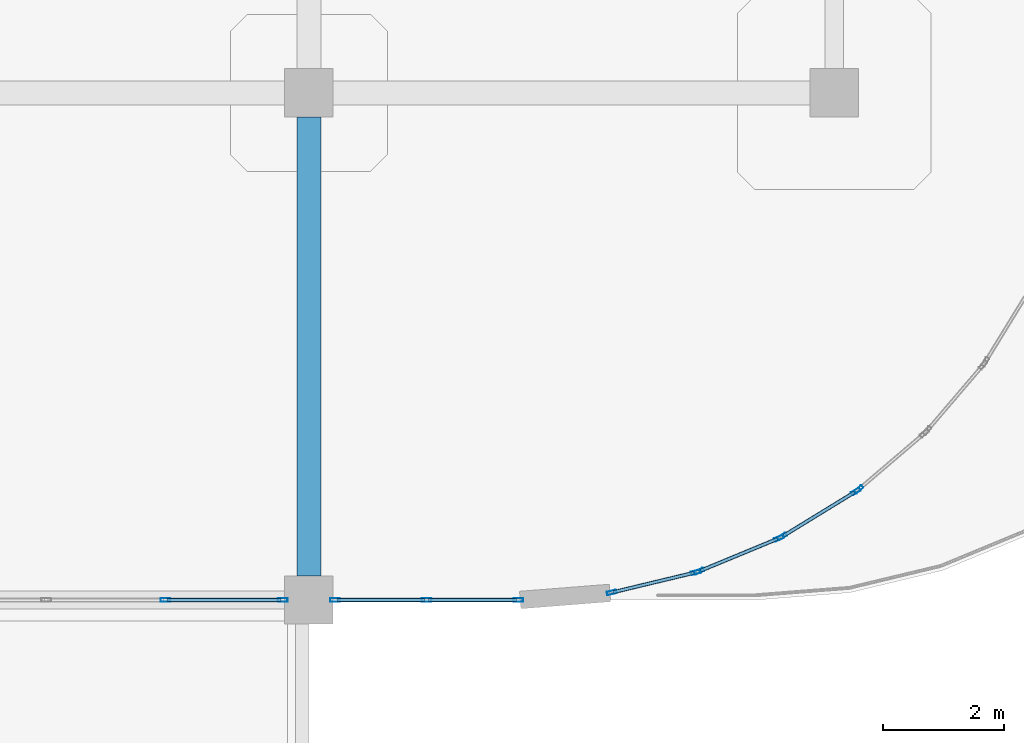
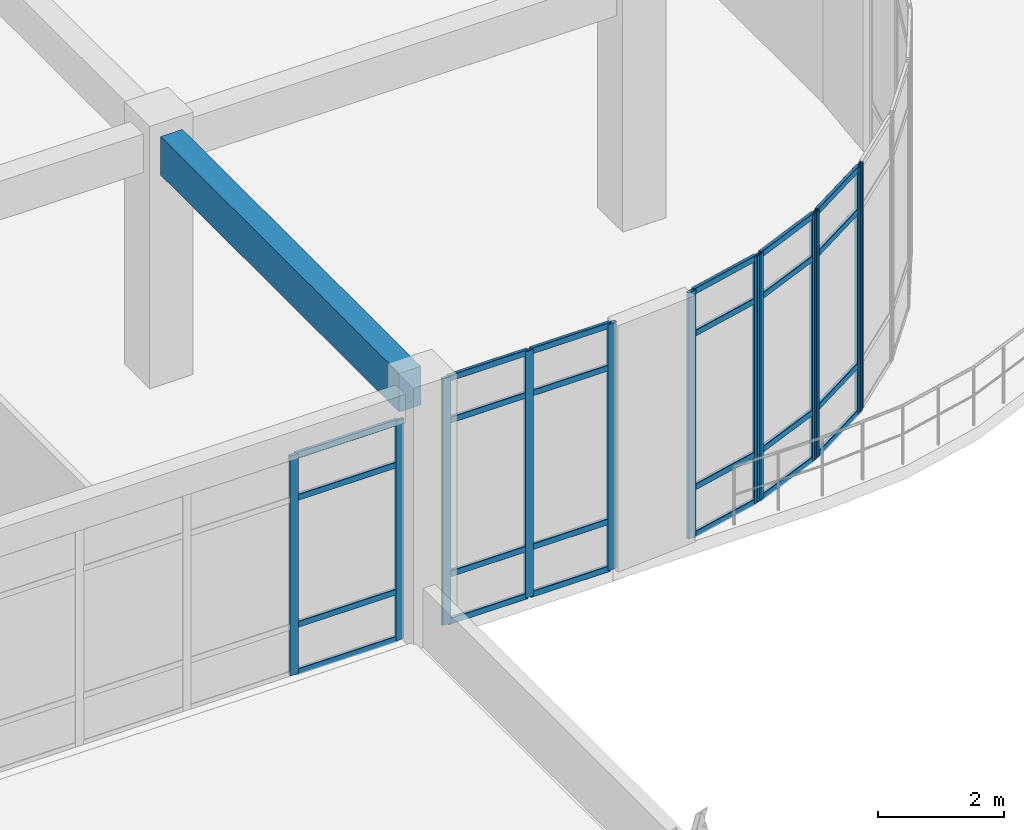
# One storey, part 81 of 124: 36 members, 1 beam, 6 elements without a shape of their own.
"""IFC4 building model written with IfcOpenShell, lengths in metres."""

from ifc_helpers import new_model, si_unit, derived_unit, direction, frame, origin, origin_2d, place, context, subcontext, project, spatial, rectangle, hollow_rectangle, extrude, material, layer, layer_set, material_profile, profile_set, type_object, element, aggregate, save


model = new_model("IFC4")

# Units and contexts
model_context = context("Model", 3, precision=1e-05, world=origin(), true_north=direction((0.0, 1.0)))
body_context = subcontext(model_context, "Body", "Model", "MODEL_VIEW")
ifc_project = project(units=[si_unit("LENGTHUNIT", "METRE"), si_unit("AREAUNIT", "SQUARE_METRE"), si_unit("VOLUMEUNIT", "CUBIC_METRE"), si_unit("PLANEANGLEUNIT", "RADIAN"), si_unit("MASSUNIT", "GRAM", prefix="KILO"), derived_unit("THERMALTRANSMITTANCEUNIT", [(si_unit("MASSUNIT", "GRAM", prefix="KILO"), 1), (si_unit("TIMEUNIT", "SECOND"), -3), (si_unit("THERMODYNAMICTEMPERATUREUNIT", "KELVIN"), -1)])], contexts=[model_context])

# Site, building, storey
site_placement = place(None, origin())
site = spatial("IfcSite", under=ifc_project, at=site_placement, CompositionType="ELEMENT")
building_placement = place(site_placement, origin())
building = spatial("IfcBuilding", under=site, at=building_placement, Name="Qinzheling Arcade Emporium", CompositionType="ELEMENT")
storey_placement = place(building_placement, frame((0.0, 0.0, 16.5)))
storey = spatial("IfcBuildingStorey", under=building, at=storey_placement, Name="L04", CompositionType="ELEMENT", Elevation=16.5)

# Curtain wall, member
ifc_material_1 = material(Name="Anodised aluminium and solar-control double glazing", Category="aluminium")
ifc_layer_1 = layer(ifc_material_1, 0.159912109375, Name="Anodised aluminium and solar-control double glazing", Category="aluminium")
ifc_layer_set_1 = layer_set([ifc_layer_1], Name="Anodised aluminium and solar-control double glazing")
curtain_wall_type_1 = type_object("IfcCurtainWallType", Name="Curved Ribbon Sales Curtain Wall", PredefinedType="NOTDEFINED", material=ifc_layer_set_1)
curtain_wall_1_placement = place(storey_placement, origin())
curtain_wall_1 = element("IfcCurtainWall", 1, at=curtain_wall_1_placement, inside=storey, type_object=curtain_wall_type_1, Name="Curtain Wall CW-L04-278", PredefinedType="NOTDEFINED")
ifc_material_2 = material(Name="Anodised aluminium 6063-T6", Category="aluminium")
ifc_material_profile_1 = material_profile(ifc_material_2, hollow_rectangle(XDim=0.06005859375, YDim=0.159912109375, WallThickness=0.00390625, InnerFilletRadius=0.00390625, OuterFilletRadius=0.008056640625, at=origin_2d()), Name="RHS 160x60x4", Category="aluminium")
ifc_profile_set_1 = profile_set([ifc_material_profile_1], Name="Anodised aluminium 6063-T6")
member_type_1 = type_object("IfcMemberType", Name="Curtain Wall Mullion RHS160x60", PredefinedType="MULLION", material=ifc_profile_set_1)
member_1_placement = place(storey_placement, frame((139.60693359375, 75.633544921875, 0.0), z_axis=(0.0, 0.0, 1.0), x_axis=(0.649243454095, -0.760580657994, 0.0)))
member_1 = element("IfcMember", 2, at=member_1_placement, type_object=member_type_1, Name="CW02 mullion 2", PredefinedType="MULLION", context=body_context, shape_type="SweptSolid", body=[
    extrude(hollow_rectangle(XDim=0.06005859375, YDim=0.159912109375, WallThickness=0.00390625, InnerFilletRadius=0.00390625, OuterFilletRadius=0.008056640625, at=origin_2d()), origin(), (0.0, 0.0, 1.0), 4.7900390625),
])
aggregate(curtain_wall_1, [member_1])

# Curtain wall, members
curtain_wall_2_placement = place(storey_placement, origin())
curtain_wall_2 = element("IfcCurtainWall", 3, at=curtain_wall_2_placement, inside=storey, type_object=curtain_wall_type_1, Name="Curtain Wall CW-L04-279", PredefinedType="NOTDEFINED")
member_2_placement = place(storey_placement, frame((139.558349609375, 75.598388671875, 0.0), z_axis=(0.0, 0.0, 1.0), x_axis=(0.522562057926, -0.852601252413, 0.0)))
member_2 = element("IfcMember", 4, at=member_2_placement, type_object=member_type_1, Name="CW02 mullion 1", PredefinedType="MULLION", context=body_context, shape_type="SweptSolid", body=[
    extrude(hollow_rectangle(XDim=0.06005859375, YDim=0.159912109375, WallThickness=0.00390625, InnerFilletRadius=0.00390625, OuterFilletRadius=0.008056640625, at=origin_2d()), origin(), (0.0, 0.0, 1.0), 4.7900390625),
])
member_3_placement = place(storey_placement, frame((138.338623046875, 74.8505859375, 0.0), z_axis=(0.0, 0.0, 1.0), x_axis=(0.522562057926, -0.852601252413, 0.0)))
member_3 = element("IfcMember", 5, at=member_3_placement, type_object=member_type_1, Name="CW02 mullion 2", PredefinedType="MULLION", context=body_context, shape_type="SweptSolid", body=[
    extrude(hollow_rectangle(XDim=0.06005859375, YDim=0.159912109375, WallThickness=0.00390625, InnerFilletRadius=0.00390625, OuterFilletRadius=0.008056640625, at=origin_2d()), origin(), (0.0, 0.0, 1.0), 4.7900390625),
])

curtain_wall_3_placement = place(storey_placement, origin())
curtain_wall_3 = element("IfcCurtainWall", 6, at=curtain_wall_3_placement, inside=storey, type_object=curtain_wall_type_1, Name="Curtain Wall CW-L04-280", PredefinedType="NOTDEFINED")
member_4_placement = place(storey_placement, frame((138.285400390625, 74.823486328125, 0.0), z_axis=(0.0, 0.0, 1.0), x_axis=(0.382470321658, -0.923967777063, 0.0)))
member_4 = element("IfcMember", 7, at=member_4_placement, type_object=member_type_1, Name="CW02 mullion 1", PredefinedType="MULLION", context=body_context, shape_type="SweptSolid", body=[
    extrude(hollow_rectangle(XDim=0.06005859375, YDim=0.159912109375, WallThickness=0.00390625, InnerFilletRadius=0.00390625, OuterFilletRadius=0.008056640625, at=origin_2d()), origin(), (0.0, 0.0, 1.0), 4.7900390625),
])
member_5_placement = place(storey_placement, frame((136.963623046875, 74.2763671875, 0.0), z_axis=(0.0, 0.0, 1.0), x_axis=(0.382470321658, -0.923967777063, 0.0)))
member_5 = element("IfcMember", 8, at=member_5_placement, type_object=member_type_1, Name="CW02 mullion 2", PredefinedType="MULLION", context=body_context, shape_type="SweptSolid", body=[
    extrude(hollow_rectangle(XDim=0.06005859375, YDim=0.159912109375, WallThickness=0.00390625, InnerFilletRadius=0.00390625, OuterFilletRadius=0.008056640625, at=origin_2d()), origin(), (0.0, 0.0, 1.0), 4.7900390625),
])

curtain_wall_4_placement = place(storey_placement, origin())
curtain_wall_4 = element("IfcCurtainWall", 9, at=curtain_wall_4_placement, inside=storey, type_object=curtain_wall_type_1, Name="Curtain Wall CW-L04-281", PredefinedType="NOTDEFINED")
member_6_placement = place(storey_placement, frame((136.90673828125, 74.258056640625, 0.0), z_axis=(0.0, 0.0, 1.0), x_axis=(0.233372952479, -0.97238730198, 0.0)))
member_6 = element("IfcMember", 10, at=member_6_placement, type_object=member_type_1, Name="CW02 mullion 1", PredefinedType="MULLION", context=body_context, shape_type="SweptSolid", body=[
    extrude(hollow_rectangle(XDim=0.06005859375, YDim=0.159912109375, WallThickness=0.00390625, InnerFilletRadius=0.00390625, OuterFilletRadius=0.008056640625, at=origin_2d()), origin(), (0.0, 0.0, 1.0), 4.7900390625),
])
member_7_placement = place(storey_placement, frame((135.51513671875, 73.924072265625, 0.0), z_axis=(0.0, 0.0, 1.0), x_axis=(0.233372952479, -0.97238730198, 0.0)))
member_7 = element("IfcMember", 11, at=member_7_placement, type_object=member_type_1, Name="CW02 mullion 2", PredefinedType="MULLION", context=body_context, shape_type="SweptSolid", body=[
    extrude(hollow_rectangle(XDim=0.06005859375, YDim=0.159912109375, WallThickness=0.00390625, InnerFilletRadius=0.00390625, OuterFilletRadius=0.008056640625, at=origin_2d()), origin(), (0.0, 0.0, 1.0), 4.7900390625),
])

ifc_layer_2 = layer(ifc_material_1, 0.159912109375, Name="Anodised aluminium and solar-control double glazing", Category="aluminium")
ifc_layer_set_2 = layer_set([ifc_layer_2], Name="Anodised aluminium and solar-control double glazing")
curtain_wall_type_2 = type_object("IfcCurtainWallType", Name="Arcade Portal Glazed Curtain Wall", PredefinedType="NOTDEFINED", material=ifc_layer_set_2)
curtain_wall_5_placement = place(storey_placement, origin())
curtain_wall_5 = element("IfcCurtainWall", 12, at=curtain_wall_5_placement, inside=storey, type_object=curtain_wall_type_2, Name="Curtain Wall CW-L04-282", PredefinedType="NOTDEFINED")
member_8_placement = place(storey_placement, frame((133.969970703125, 73.800048828125, 0.0), z_axis=(0.0, 0.0, 1.0), x_axis=(0.0, -1.0, 0.0)))
member_8 = element("IfcMember", 13, at=member_8_placement, type_object=member_type_1, Name="CW05 mullion 1", PredefinedType="MULLION", context=body_context, shape_type="SweptSolid", body=[
    extrude(hollow_rectangle(XDim=0.06005859375, YDim=0.159912109375, WallThickness=0.00390625, InnerFilletRadius=0.00390625, OuterFilletRadius=0.008056640625, at=origin_2d()), origin(), (0.0, 0.0, 1.0), 4.7900390625),
])
member_9_placement = place(storey_placement, frame((132.450927734375, 73.800048828125, 0.0), z_axis=(0.0, 0.0, 1.0), x_axis=(0.0, -1.0, 0.0)))
member_9 = element("IfcMember", 14, at=member_9_placement, type_object=member_type_1, Name="CW05 mullion 2", PredefinedType="MULLION", context=body_context, shape_type="SweptSolid", body=[
    extrude(hollow_rectangle(XDim=0.06005859375, YDim=0.159912109375, WallThickness=0.00390625, InnerFilletRadius=0.00390625, OuterFilletRadius=0.008056640625, at=origin_2d()), origin(), (0.0, 0.0, 1.0), 4.7900390625),
])
member_10_placement = place(storey_placement, frame((130.931884765625, 73.800048828125, 0.0), z_axis=(0.0, 0.0, 1.0), x_axis=(0.0, -1.0, 0.0)))
member_10 = element("IfcMember", 15, at=member_10_placement, type_object=member_type_1, Name="CW05 mullion 3", PredefinedType="MULLION", context=body_context, shape_type="SweptSolid", body=[
    extrude(hollow_rectangle(XDim=0.06005859375, YDim=0.159912109375, WallThickness=0.00390625, InnerFilletRadius=0.00390625, OuterFilletRadius=0.008056640625, at=origin_2d()), origin(), (0.0, 0.0, 1.0), 4.7900390625),
])

curtain_wall_6_placement = place(storey_placement, origin())
curtain_wall_6 = element("IfcCurtainWall", 16, at=curtain_wall_6_placement, inside=storey, type_object=curtain_wall_type_2, Name="Curtain Wall CW-L04-283", PredefinedType="NOTDEFINED")
member_11_placement = place(storey_placement, frame((130.068115234375, 73.800048828125, 0.0), z_axis=(0.0, 0.0, 1.0), x_axis=(0.0, -1.0, 0.0)))
member_11 = element("IfcMember", 17, at=member_11_placement, type_object=member_type_1, Name="CW05 mullion 1", PredefinedType="MULLION", context=body_context, shape_type="SweptSolid", body=[
    extrude(hollow_rectangle(XDim=0.06005859375, YDim=0.159912109375, WallThickness=0.00390625, InnerFilletRadius=0.00390625, OuterFilletRadius=0.008056640625, at=origin_2d()), origin(), (0.0, 0.0, 1.0), 4.27001953125),
])
member_12_placement = place(storey_placement, frame((128.1240234375, 73.800048828125, 0.0), z_axis=(0.0, 0.0, 1.0), x_axis=(0.0, -1.0, 0.0)))
member_12 = element("IfcMember", 18, at=member_12_placement, type_object=member_type_1, Name="CW05 mullion 2", PredefinedType="MULLION", context=body_context, shape_type="SweptSolid", body=[
    extrude(hollow_rectangle(XDim=0.06005859375, YDim=0.159912109375, WallThickness=0.00390625, InnerFilletRadius=0.00390625, OuterFilletRadius=0.008056640625, at=origin_2d()), origin(), (0.0, 0.0, 1.0), 4.27001953125),
])

# Member
ifc_material_profile_2 = material_profile(ifc_material_2, hollow_rectangle(XDim=0.06005859375, YDim=0.1201171875, WallThickness=0.00390625, InnerFilletRadius=0.00390625, OuterFilletRadius=0.008056640625, at=origin_2d()), Name="RHS 120x60x4", Category="aluminium")
ifc_profile_set_2 = profile_set([ifc_material_profile_2], Name="Anodised aluminium 6063-T6")
member_type_2 = type_object("IfcMemberType", Name="Curtain Wall Transom RHS120x60", PredefinedType="USERDEFINED", material=ifc_profile_set_2)
member_13_placement = place(storey_placement, frame((139.532958984375, 75.582763671875, 0.030029296875), z_axis=(-0.852598692616, -0.522566234413, 0.0), x_axis=(0.522566234413, -0.852598692616, 0.0)))
member_13 = element("IfcMember", 19, at=member_13_placement, type_object=member_type_2, Name="CW02 transom 1.1", ObjectType="TRANSOM", PredefinedType="USERDEFINED", context=body_context, shape_type="SweptSolid", body=[
    extrude(hollow_rectangle(XDim=0.06005859375, YDim=0.1201171875, WallThickness=0.00390625, InnerFilletRadius=0.00390625, OuterFilletRadius=0.008056640625, at=origin_2d()), origin(), (0.0, 0.0, 1.0), 1.370849609375),
])

member_14_placement = place(storey_placement, frame((139.532958984375, 75.582763671875, 0.949951171875), z_axis=(-0.852598692616, -0.522566234413, 0.0), x_axis=(0.522566234413, -0.852598692616, 0.0)))
member_14 = element("IfcMember", 20, at=member_14_placement, type_object=member_type_2, Name="CW02 transom 1.2", ObjectType="TRANSOM", PredefinedType="USERDEFINED", context=body_context, shape_type="SweptSolid", body=[
    extrude(hollow_rectangle(XDim=0.06005859375, YDim=0.1201171875, WallThickness=0.00390625, InnerFilletRadius=0.00390625, OuterFilletRadius=0.008056640625, at=origin_2d()), origin(), (0.0, 0.0, 1.0), 1.370849609375),
])

member_15_placement = place(storey_placement, frame((139.532958984375, 75.582763671875, 3.93994140625), z_axis=(-0.852598692616, -0.522566234413, 0.0), x_axis=(0.522566234413, -0.852598692616, 0.0)))
member_15 = element("IfcMember", 21, at=member_15_placement, type_object=member_type_2, Name="CW02 transom 1.3", ObjectType="TRANSOM", PredefinedType="USERDEFINED", context=body_context, shape_type="SweptSolid", body=[
    extrude(hollow_rectangle(XDim=0.06005859375, YDim=0.1201171875, WallThickness=0.00390625, InnerFilletRadius=0.00390625, OuterFilletRadius=0.008056640625, at=origin_2d()), origin(), (0.0, 0.0, 1.0), 1.370849609375),
])

member_16_placement = place(storey_placement, frame((139.532958984375, 75.582763671875, 4.760009765625), z_axis=(-0.852598692616, -0.522566234413, 0.0), x_axis=(0.522566234413, -0.852598692616, 0.0)))
member_16 = element("IfcMember", 22, at=member_16_placement, type_object=member_type_2, Name="CW02 transom 1.4", ObjectType="TRANSOM", PredefinedType="USERDEFINED", context=body_context, shape_type="SweptSolid", body=[
    extrude(hollow_rectangle(XDim=0.06005859375, YDim=0.1201171875, WallThickness=0.00390625, InnerFilletRadius=0.00390625, OuterFilletRadius=0.008056640625, at=origin_2d()), origin(), (0.0, 0.0, 1.0), 1.370849609375),
])

aggregate(curtain_wall_2, [member_2, member_3, member_13, member_14, member_15, member_16])

member_17_placement = place(storey_placement, frame((138.257568359375, 74.81201171875, 0.030029296875), z_axis=(-0.923949532465, -0.382514393791, 0.0), x_axis=(0.382514393791, -0.923949532465, 0.0)))
member_17 = element("IfcMember", 23, at=member_17_placement, type_object=member_type_2, Name="CW02 transom 1.1", ObjectType="TRANSOM", PredefinedType="USERDEFINED", context=body_context, shape_type="SweptSolid", body=[
    extrude(hollow_rectangle(XDim=0.06005859375, YDim=0.1201171875, WallThickness=0.00390625, InnerFilletRadius=0.00390625, OuterFilletRadius=0.008056640625, at=origin_2d()), origin(), (0.0, 0.0, 1.0), 1.370361328125),
])

member_18_placement = place(storey_placement, frame((138.257568359375, 74.81201171875, 0.949951171875), z_axis=(-0.923949532465, -0.382514393791, 0.0), x_axis=(0.382514393791, -0.923949532465, 0.0)))
member_18 = element("IfcMember", 24, at=member_18_placement, type_object=member_type_2, Name="CW02 transom 1.2", ObjectType="TRANSOM", PredefinedType="USERDEFINED", context=body_context, shape_type="SweptSolid", body=[
    extrude(hollow_rectangle(XDim=0.06005859375, YDim=0.1201171875, WallThickness=0.00390625, InnerFilletRadius=0.00390625, OuterFilletRadius=0.008056640625, at=origin_2d()), origin(), (0.0, 0.0, 1.0), 1.370361328125),
])

member_19_placement = place(storey_placement, frame((138.257568359375, 74.81201171875, 3.93994140625), z_axis=(-0.923949532465, -0.382514393791, 0.0), x_axis=(0.382514393791, -0.923949532465, 0.0)))
member_19 = element("IfcMember", 25, at=member_19_placement, type_object=member_type_2, Name="CW02 transom 1.3", ObjectType="TRANSOM", PredefinedType="USERDEFINED", context=body_context, shape_type="SweptSolid", body=[
    extrude(hollow_rectangle(XDim=0.06005859375, YDim=0.1201171875, WallThickness=0.00390625, InnerFilletRadius=0.00390625, OuterFilletRadius=0.008056640625, at=origin_2d()), origin(), (0.0, 0.0, 1.0), 1.370361328125),
])

member_20_placement = place(storey_placement, frame((138.257568359375, 74.81201171875, 4.760009765625), z_axis=(-0.923949532465, -0.382514393791, 0.0), x_axis=(0.382514393791, -0.923949532465, 0.0)))
member_20 = element("IfcMember", 26, at=member_20_placement, type_object=member_type_2, Name="CW02 transom 1.4", ObjectType="TRANSOM", PredefinedType="USERDEFINED", context=body_context, shape_type="SweptSolid", body=[
    extrude(hollow_rectangle(XDim=0.06005859375, YDim=0.1201171875, WallThickness=0.00390625, InnerFilletRadius=0.00390625, OuterFilletRadius=0.008056640625, at=origin_2d()), origin(), (0.0, 0.0, 1.0), 1.370361328125),
])

aggregate(curtain_wall_3, [member_4, member_5, member_17, member_18, member_19, member_20])

member_21_placement = place(storey_placement, frame((136.877685546875, 74.2509765625, 0.030029296875), z_axis=(-0.972372753779, -0.233433561656, 0.0), x_axis=(0.233433561656, -0.972372753779, 0.0)))
member_21 = element("IfcMember", 27, at=member_21_placement, type_object=member_type_2, Name="CW02 transom 1.1", ObjectType="TRANSOM", PredefinedType="USERDEFINED", context=body_context, shape_type="SweptSolid", body=[
    extrude(hollow_rectangle(XDim=0.06005859375, YDim=0.1201171875, WallThickness=0.00390625, InnerFilletRadius=0.00390625, OuterFilletRadius=0.008056640625, at=origin_2d()), origin(), (0.0, 0.0, 1.0), 1.37109375),
])

member_22_placement = place(storey_placement, frame((136.877685546875, 74.2509765625, 0.949951171875), z_axis=(-0.972372753779, -0.233433561656, 0.0), x_axis=(0.233433561656, -0.972372753779, 0.0)))
member_22 = element("IfcMember", 28, at=member_22_placement, type_object=member_type_2, Name="CW02 transom 1.2", ObjectType="TRANSOM", PredefinedType="USERDEFINED", context=body_context, shape_type="SweptSolid", body=[
    extrude(hollow_rectangle(XDim=0.06005859375, YDim=0.1201171875, WallThickness=0.00390625, InnerFilletRadius=0.00390625, OuterFilletRadius=0.008056640625, at=origin_2d()), origin(), (0.0, 0.0, 1.0), 1.37109375),
])

member_23_placement = place(storey_placement, frame((136.877685546875, 74.2509765625, 3.93994140625), z_axis=(-0.972372753779, -0.233433561656, 0.0), x_axis=(0.233433561656, -0.972372753779, 0.0)))
member_23 = element("IfcMember", 29, at=member_23_placement, type_object=member_type_2, Name="CW02 transom 1.3", ObjectType="TRANSOM", PredefinedType="USERDEFINED", context=body_context, shape_type="SweptSolid", body=[
    extrude(hollow_rectangle(XDim=0.06005859375, YDim=0.1201171875, WallThickness=0.00390625, InnerFilletRadius=0.00390625, OuterFilletRadius=0.008056640625, at=origin_2d()), origin(), (0.0, 0.0, 1.0), 1.37109375),
])

member_24_placement = place(storey_placement, frame((136.877685546875, 74.2509765625, 4.760009765625), z_axis=(-0.972372753779, -0.233433561656, 0.0), x_axis=(0.233433561656, -0.972372753779, 0.0)))
member_24 = element("IfcMember", 30, at=member_24_placement, type_object=member_type_2, Name="CW02 transom 1.4", ObjectType="TRANSOM", PredefinedType="USERDEFINED", context=body_context, shape_type="SweptSolid", body=[
    extrude(hollow_rectangle(XDim=0.06005859375, YDim=0.1201171875, WallThickness=0.00390625, InnerFilletRadius=0.00390625, OuterFilletRadius=0.008056640625, at=origin_2d()), origin(), (0.0, 0.0, 1.0), 1.37109375),
])

aggregate(curtain_wall_4, [member_6, member_7, member_21, member_22, member_23, member_24])

member_25_placement = place(storey_placement, frame((133.93994140625, 73.800048828125, 0.030029296875), z_axis=(-1.0, 0.0, 0.0), x_axis=(0.0, -1.0, 0.0)))
member_25 = element("IfcMember", 31, at=member_25_placement, type_object=member_type_2, Name="CW05 transom 1.1", ObjectType="TRANSOM", PredefinedType="USERDEFINED", context=body_context, shape_type="SweptSolid", body=[
    extrude(hollow_rectangle(XDim=0.06005859375, YDim=0.1201171875, WallThickness=0.00390625, InnerFilletRadius=0.00390625, OuterFilletRadius=0.008056640625, at=origin_2d()), origin(), (0.0, 0.0, 1.0), 1.458984375),
])

member_26_placement = place(storey_placement, frame((133.93994140625, 73.800048828125, 0.949951171875), z_axis=(-1.0, 0.0, 0.0), x_axis=(0.0, -1.0, 0.0)))
member_26 = element("IfcMember", 32, at=member_26_placement, type_object=member_type_2, Name="CW05 transom 1.2", ObjectType="TRANSOM", PredefinedType="USERDEFINED", context=body_context, shape_type="SweptSolid", body=[
    extrude(hollow_rectangle(XDim=0.06005859375, YDim=0.1201171875, WallThickness=0.00390625, InnerFilletRadius=0.00390625, OuterFilletRadius=0.008056640625, at=origin_2d()), origin(), (0.0, 0.0, 1.0), 1.458984375),
])

member_27_placement = place(storey_placement, frame((133.93994140625, 73.800048828125, 3.93994140625), z_axis=(-1.0, 0.0, 0.0), x_axis=(0.0, -1.0, 0.0)))
member_27 = element("IfcMember", 33, at=member_27_placement, type_object=member_type_2, Name="CW05 transom 1.3", ObjectType="TRANSOM", PredefinedType="USERDEFINED", context=body_context, shape_type="SweptSolid", body=[
    extrude(hollow_rectangle(XDim=0.06005859375, YDim=0.1201171875, WallThickness=0.00390625, InnerFilletRadius=0.00390625, OuterFilletRadius=0.008056640625, at=origin_2d()), origin(), (0.0, 0.0, 1.0), 1.458984375),
])

member_28_placement = place(storey_placement, frame((133.93994140625, 73.800048828125, 4.760009765625), z_axis=(-1.0, 0.0, 0.0), x_axis=(0.0, -1.0, 0.0)))
member_28 = element("IfcMember", 34, at=member_28_placement, type_object=member_type_2, Name="CW05 transom 1.4", ObjectType="TRANSOM", PredefinedType="USERDEFINED", context=body_context, shape_type="SweptSolid", body=[
    extrude(hollow_rectangle(XDim=0.06005859375, YDim=0.1201171875, WallThickness=0.00390625, InnerFilletRadius=0.00390625, OuterFilletRadius=0.008056640625, at=origin_2d()), origin(), (0.0, 0.0, 1.0), 1.458984375),
])

member_29_placement = place(storey_placement, frame((132.4208984375, 73.800048828125, 0.030029296875), z_axis=(-1.0, 0.0, 0.0), x_axis=(0.0, -1.0, 0.0)))
member_29 = element("IfcMember", 35, at=member_29_placement, type_object=member_type_2, Name="CW05 transom 2.1", ObjectType="TRANSOM", PredefinedType="USERDEFINED", context=body_context, shape_type="SweptSolid", body=[
    extrude(hollow_rectangle(XDim=0.06005859375, YDim=0.1201171875, WallThickness=0.00390625, InnerFilletRadius=0.00390625, OuterFilletRadius=0.008056640625, at=origin_2d()), origin(), (0.0, 0.0, 1.0), 1.458984375),
])

member_30_placement = place(storey_placement, frame((132.4208984375, 73.800048828125, 0.949951171875), z_axis=(-1.0, 0.0, 0.0), x_axis=(0.0, -1.0, 0.0)))
member_30 = element("IfcMember", 36, at=member_30_placement, type_object=member_type_2, Name="CW05 transom 2.2", ObjectType="TRANSOM", PredefinedType="USERDEFINED", context=body_context, shape_type="SweptSolid", body=[
    extrude(hollow_rectangle(XDim=0.06005859375, YDim=0.1201171875, WallThickness=0.00390625, InnerFilletRadius=0.00390625, OuterFilletRadius=0.008056640625, at=origin_2d()), origin(), (0.0, 0.0, 1.0), 1.458984375),
])

member_31_placement = place(storey_placement, frame((132.4208984375, 73.800048828125, 3.93994140625), z_axis=(-1.0, 0.0, 0.0), x_axis=(0.0, -1.0, 0.0)))
member_31 = element("IfcMember", 37, at=member_31_placement, type_object=member_type_2, Name="CW05 transom 2.3", ObjectType="TRANSOM", PredefinedType="USERDEFINED", context=body_context, shape_type="SweptSolid", body=[
    extrude(hollow_rectangle(XDim=0.06005859375, YDim=0.1201171875, WallThickness=0.00390625, InnerFilletRadius=0.00390625, OuterFilletRadius=0.008056640625, at=origin_2d()), origin(), (0.0, 0.0, 1.0), 1.458984375),
])

member_32_placement = place(storey_placement, frame((132.4208984375, 73.800048828125, 4.760009765625), z_axis=(-1.0, 0.0, 0.0), x_axis=(0.0, -1.0, 0.0)))
member_32 = element("IfcMember", 38, at=member_32_placement, type_object=member_type_2, Name="CW05 transom 2.4", ObjectType="TRANSOM", PredefinedType="USERDEFINED", context=body_context, shape_type="SweptSolid", body=[
    extrude(hollow_rectangle(XDim=0.06005859375, YDim=0.1201171875, WallThickness=0.00390625, InnerFilletRadius=0.00390625, OuterFilletRadius=0.008056640625, at=origin_2d()), origin(), (0.0, 0.0, 1.0), 1.458984375),
])

aggregate(curtain_wall_5, [member_8, member_9, member_10, member_25, member_26, member_27, member_28, member_29, member_30, member_31, member_32])

member_33_placement = place(storey_placement, frame((130.0380859375, 73.800048828125, 0.030029296875), z_axis=(-1.0, 0.0, 0.0), x_axis=(0.0, -1.0, 0.0)))
member_33 = element("IfcMember", 39, at=member_33_placement, type_object=member_type_2, Name="CW05 transom 1.1", ObjectType="TRANSOM", PredefinedType="USERDEFINED", context=body_context, shape_type="SweptSolid", body=[
    extrude(hollow_rectangle(XDim=0.06005859375, YDim=0.1201171875, WallThickness=0.00390625, InnerFilletRadius=0.00390625, OuterFilletRadius=0.008056640625, at=origin_2d()), origin(), (0.0, 0.0, 1.0), 1.884033203125),
])

member_34_placement = place(storey_placement, frame((130.0380859375, 73.800048828125, 0.949951171875), z_axis=(-1.0, 0.0, 0.0), x_axis=(0.0, -1.0, 0.0)))
member_34 = element("IfcMember", 40, at=member_34_placement, type_object=member_type_2, Name="CW05 transom 1.2", ObjectType="TRANSOM", PredefinedType="USERDEFINED", context=body_context, shape_type="SweptSolid", body=[
    extrude(hollow_rectangle(XDim=0.06005859375, YDim=0.1201171875, WallThickness=0.00390625, InnerFilletRadius=0.00390625, OuterFilletRadius=0.008056640625, at=origin_2d()), origin(), (0.0, 0.0, 1.0), 1.884033203125),
])

member_35_placement = place(storey_placement, frame((130.0380859375, 73.800048828125, 3.419921875), z_axis=(-1.0, 0.0, 0.0), x_axis=(0.0, -1.0, 0.0)))
member_35 = element("IfcMember", 41, at=member_35_placement, type_object=member_type_2, Name="CW05 transom 1.3", ObjectType="TRANSOM", PredefinedType="USERDEFINED", context=body_context, shape_type="SweptSolid", body=[
    extrude(hollow_rectangle(XDim=0.06005859375, YDim=0.1201171875, WallThickness=0.00390625, InnerFilletRadius=0.00390625, OuterFilletRadius=0.008056640625, at=origin_2d()), origin(), (0.0, 0.0, 1.0), 1.884033203125),
])

member_36_placement = place(storey_placement, frame((130.0380859375, 73.800048828125, 4.239990234375), z_axis=(-1.0, 0.0, 0.0), x_axis=(0.0, -1.0, 0.0)))
member_36 = element("IfcMember", 42, at=member_36_placement, type_object=member_type_2, Name="CW05 transom 1.4", ObjectType="TRANSOM", PredefinedType="USERDEFINED", context=body_context, shape_type="SweptSolid", body=[
    extrude(hollow_rectangle(XDim=0.06005859375, YDim=0.1201171875, WallThickness=0.00390625, InnerFilletRadius=0.00390625, OuterFilletRadius=0.008056640625, at=origin_2d()), origin(), (0.0, 0.0, 1.0), 1.884033203125),
])

aggregate(curtain_wall_6, [member_11, member_12, member_33, member_34, member_35, member_36])

# Beam
ifc_material_3 = material(Name="Concrete C40", Category="concrete")
ifc_material_profile_3 = material_profile(ifc_material_3, rectangle(XDim=0.39990234375, YDim=0.75, at=origin_2d()), Name="RC 400x750", Category="concrete")
ifc_profile_set_3 = profile_set([ifc_material_profile_3], Name="Concrete C40")
beam_type = type_object("IfcBeamType", Name="RC Interior Tie Beam 400x750 C40", PredefinedType="BEAM", material=ifc_profile_set_3)
beam_placement = place(storey_placement, frame((130.5, 74.199951171875, 4.4599609375), z_axis=(0.0, 1.0, 0.0), x_axis=(-1.0, 0.0, 0.0)))
element("IfcBeam", 43, at=beam_placement, inside=storey, type_object=beam_type, Name="Beam BM-L04-Y-16-J", PredefinedType="BEAM", context=body_context, shape_type="SweptSolid", body=[
    extrude(rectangle(XDim=0.39990234375, YDim=0.75, at=origin_2d()), origin(), (0.0, 0.0, 1.0), 7.60009765625),
])

save(model, "model.ifc")
